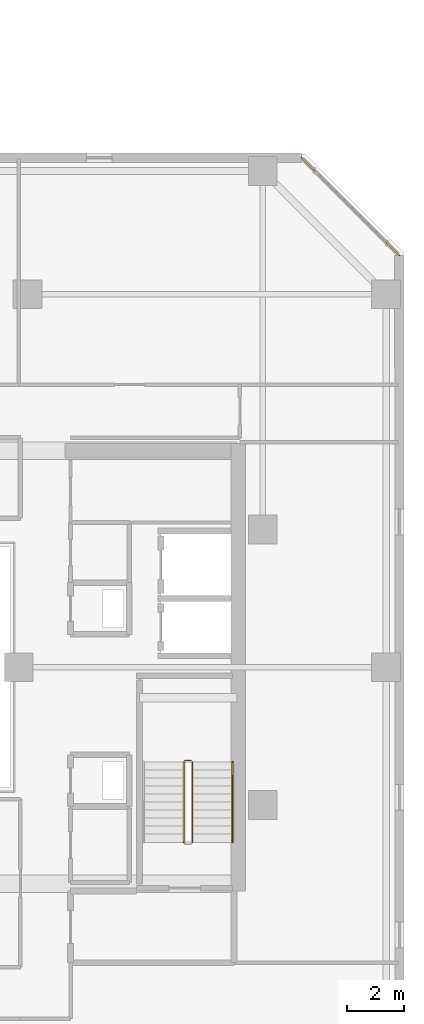
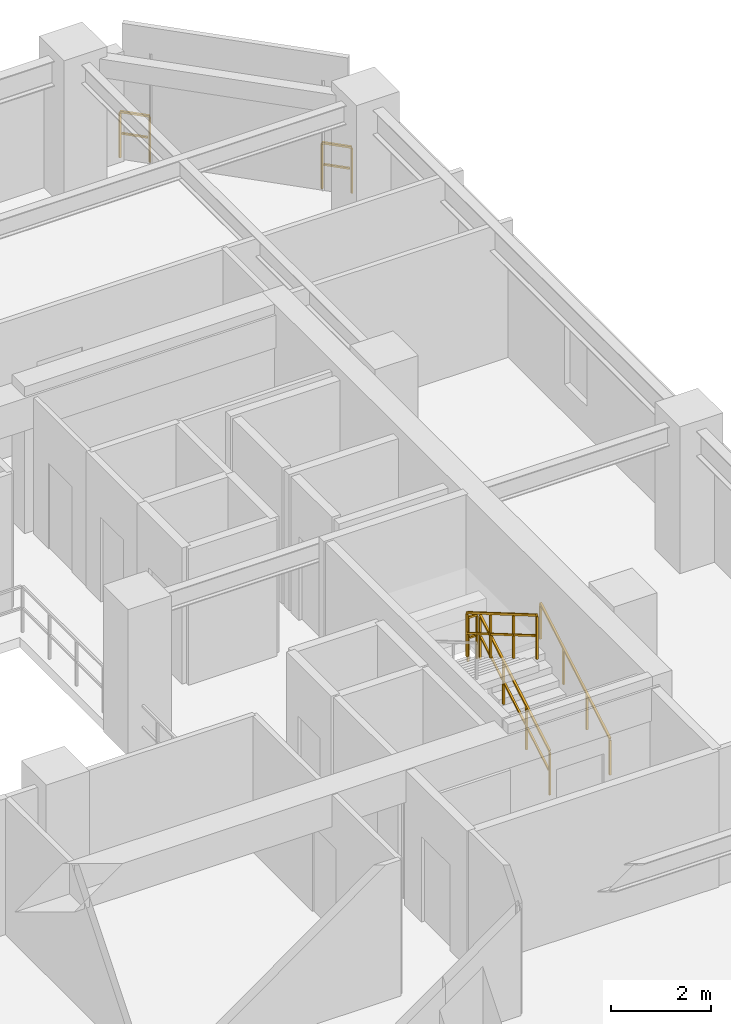
# One storey, part 33 of 33: 6 railings.
"""IFC4 building model written with IfcOpenShell, lengths in metres."""

from ifc_helpers import new_model, si_unit, direction, frame, origin, origin_2d, place, context, subcontext, project, spatial, rectangle, extrude, material, type_object, element, save


model = new_model("IFC4")

# Units and contexts
model_context = context("Model", 3, precision=1e-05, world=origin(), true_north=direction((0.0, 1.0)))
body_context = subcontext(model_context, "Body", "Model", "MODEL_VIEW")
ifc_project = project(units=[si_unit("LENGTHUNIT", "METRE"), si_unit("AREAUNIT", "SQUARE_METRE"), si_unit("VOLUMEUNIT", "CUBIC_METRE"), si_unit("PLANEANGLEUNIT", "RADIAN"), si_unit("MASSUNIT", "GRAM", prefix="KILO")], contexts=[model_context])

# Site, building, storey
site_placement = place(None, origin())
site = spatial("IfcSite", under=ifc_project, at=site_placement, CompositionType="ELEMENT")
building_placement = place(site_placement, origin())
building = spatial("IfcBuilding", under=site, at=building_placement, Name="Thornwick Lancets Civic Towers", CompositionType="ELEMENT")
storey_placement = place(building_placement, frame((0.0, 0.0, 210.89990234375)))
storey = spatial("IfcBuildingStorey", under=building, at=storey_placement, Name="L56", CompositionType="ELEMENT", Elevation=210.89990234375)

# Railings
ifc_material_1 = material(Name="Brushed stainless steel S355", Category="steel")
railing_type_1 = type_object("IfcRailingType", Name="RAIL_HANDRAIL", PredefinedType="HANDRAIL", material=ifc_material_1)
railing_1_placement = place(storey_placement, frame((100.449951171875, 20.89990234375, 0.163818359375)))
element("IfcRailing", 1, at=railing_1_placement, inside=storey, type_object=railing_type_1, Name="L56 ST-B1 stair handrail 1", PredefinedType="HANDRAIL", context=body_context, shape_type="SweptSolid", body=[
    extrude(rectangle(XDim=0.048095703125, YDim=0.048095703125, at=origin_2d()), frame((0.0, 0.0, 0.8857421875), z_axis=(0.0, 0.863393664356, 0.504530851732), x_axis=(-1.0, 0.0, 0.0)), (0.0, 0.0, 1.0), 3.2431640625),
    extrude(rectangle(XDim=0.0419921875, YDim=0.0419921875, at=origin_2d()), origin(), (0.0, 0.0, 1.0), 0.855712890625),
    extrude(rectangle(XDim=0.0419921875, YDim=0.0419921875, at=origin_2d()), frame((0.0, 0.933349609375, 0.54541015625)), (0.0, 0.0, 1.0), 0.855712890625),
    extrude(rectangle(XDim=0.0419921875, YDim=0.0419921875, at=origin_2d()), frame((0.0, 1.86669921875, 1.0908203125)), (0.0, 0.0, 1.0), 0.855712890625),
    extrude(rectangle(XDim=0.0419921875, YDim=0.0419921875, at=origin_2d()), frame((0.0, 2.800048828125, 1.63623046875)), (0.0, 0.0, 1.0), 0.855712890625),
])
ifc_material_2 = material(Name="Steel S355JR", Category="steel")
railing_type_2 = type_object("IfcRailingType", Name="RAIL_STAIR_GUARD", PredefinedType="GUARDRAIL", material=ifc_material_2)
railing_2_placement = place(storey_placement, frame((99.050048828125, 20.89990234375, 0.163818359375)))
element("IfcRailing", 2, at=railing_2_placement, inside=storey, type_object=railing_type_2, Name="L56 ST-B1 stair guard 1", PredefinedType="GUARDRAIL", context=body_context, shape_type="SweptSolid", body=[
    extrude(rectangle(XDim=0.048095703125, YDim=0.048095703125, at=origin_2d()), frame((0.0, 0.0, 1.076171875), z_axis=(0.0, 0.863393664356, 0.504530851732), x_axis=(-1.0, 0.0, 0.0)), (0.0, 0.0, 1.0), 3.2431640625),
    extrude(rectangle(XDim=0.0419921875, YDim=0.0419921875, at=origin_2d()), frame((0.0, 0.032470703125, 0.591064453125), z_axis=(0.0, 0.863393664356, 0.504530851732), x_axis=(-1.0, 0.0, 0.0)), (0.0, 0.0, 1.0), 1.006103515625),
    extrude(rectangle(XDim=0.0419921875, YDim=0.0419921875, at=origin_2d()), frame((0.0, 0.9658203125, 1.136474609375), z_axis=(0.0, 0.863393664356, 0.504530851732), x_axis=(-1.0, 0.0, 0.0)), (0.0, 0.0, 1.0), 1.006103515625),
    extrude(rectangle(XDim=0.0419921875, YDim=0.0419921875, at=origin_2d()), frame((0.0, 1.899169921875, 1.681884765625), z_axis=(0.0, 0.863393664356, 0.504530851732), x_axis=(-1.0, 0.0, 0.0)), (0.0, 0.0, 1.0), 1.006103515625),
    extrude(rectangle(XDim=0.0419921875, YDim=0.0419921875, at=origin_2d()), origin(), (0.0, 0.0, 1.0), 1.0458984375),
    extrude(rectangle(XDim=0.0419921875, YDim=0.0419921875, at=origin_2d()), frame((0.0, 0.933349609375, 0.54541015625)), (0.0, 0.0, 1.0), 1.0458984375),
    extrude(rectangle(XDim=0.0419921875, YDim=0.0419921875, at=origin_2d()), frame((0.0, 1.86669921875, 1.0908203125)), (0.0, 0.0, 1.0), 1.0458984375),
    extrude(rectangle(XDim=0.0419921875, YDim=0.0419921875, at=origin_2d()), frame((0.0, 2.800048828125, 1.63623046875)), (0.0, 0.0, 1.0), 1.0458984375),
])
railing_3_placement = place(storey_placement, frame((99.0, 23.75, 1.800048828125)))
element("IfcRailing", 3, at=railing_3_placement, inside=storey, type_object=railing_type_2, Name="L56 ST-B1 stair guard 2", PredefinedType="GUARDRAIL", context=body_context, shape_type="SweptSolid", body=[
    extrude(rectangle(XDim=0.048095703125, YDim=0.048095703125, at=origin_2d()), frame((0.0, 0.0, 1.076171875), z_axis=(-1.0, 0.0, 0.0), x_axis=(0.0, -1.0, 0.0)), (0.0, 0.0, 1.0), 0.199951171875),
    extrude(rectangle(XDim=0.0419921875, YDim=0.0419921875, at=origin_2d()), frame((-0.03759765625, 0.0, 0.572021484375), z_axis=(-1.0, 0.0, 0.0), x_axis=(0.0, -1.0, 0.0)), (0.0, 0.0, 1.0), 0.125),
    extrude(rectangle(XDim=0.0419921875, YDim=0.0419921875, at=origin_2d()), origin(), (0.0, 0.0, 1.0), 1.0458984375),
    extrude(rectangle(XDim=0.0419921875, YDim=0.0419921875, at=origin_2d()), frame((-0.199951171875, 0.0, 0.0)), (0.0, 0.0, 1.0), 1.0458984375),
])
railing_4_placement = place(storey_placement, frame((98.75, 23.699951171875, 1.963623046875)))
element("IfcRailing", 4, at=railing_4_placement, inside=storey, type_object=railing_type_2, Name="L56 ST-B1 stair guard 3", PredefinedType="GUARDRAIL", context=body_context, shape_type="SweptSolid", body=[
    extrude(rectangle(XDim=0.048095703125, YDim=0.048095703125, at=origin_2d()), frame((0.0, 0.0, 1.076171875), z_axis=(0.0, -0.863360870873, 0.504586966384), x_axis=(1.0, 0.0, 0.0)), (0.0, 0.0, 1.0), 3.2431640625),
    extrude(rectangle(XDim=0.0419921875, YDim=0.0419921875, at=origin_2d()), frame((0.0, -0.032470703125, 0.591064453125), z_axis=(0.0, -0.863360870873, 0.504586966384), x_axis=(1.0, 0.0, 0.0)), (0.0, 0.0, 1.0), 1.006103515625),
    extrude(rectangle(XDim=0.0419921875, YDim=0.0419921875, at=origin_2d()), frame((0.0, -0.9658203125, 1.136474609375), z_axis=(0.0, -0.863360870873, 0.504586966384), x_axis=(1.0, 0.0, 0.0)), (0.0, 0.0, 1.0), 1.006103515625),
    extrude(rectangle(XDim=0.0419921875, YDim=0.0419921875, at=origin_2d()), frame((0.0, -1.899169921875, 1.681884765625), z_axis=(0.0, -0.863360870873, 0.504586966384), x_axis=(1.0, 0.0, 0.0)), (0.0, 0.0, 1.0), 1.006103515625),
    extrude(rectangle(XDim=0.0419921875, YDim=0.0419921875, at=origin_2d()), origin(), (0.0, 0.0, 1.0), 1.0458984375),
    extrude(rectangle(XDim=0.0419921875, YDim=0.0419921875, at=origin_2d()), frame((0.0, -0.933349609375, 0.54541015625)), (0.0, 0.0, 1.0), 1.0458984375),
    extrude(rectangle(XDim=0.0419921875, YDim=0.0419921875, at=origin_2d()), frame((0.0, -1.86669921875, 1.091064453125)), (0.0, 0.0, 1.0), 1.0458984375),
    extrude(rectangle(XDim=0.0419921875, YDim=0.0419921875, at=origin_2d()), frame((0.0, -2.800048828125, 1.636474609375)), (0.0, 0.0, 1.0), 1.0458984375),
])
ifc_material_3 = material(Name="Terracotta-capped laminated glass balustrade S355", Category="masonry")
railing_type_3 = type_object("IfcRailingType", Name="RAIL_TERR_GUARD", PredefinedType="GUARDRAIL", material=ifc_material_3)
for number, where, name in (
    (5, (106.261962890625, 41.353515625, 0.0), "L56 Tower B Chamfer Spandrel Guard E3-1"),
    (6, (103.29150390625, 44.323974609375, 0.0), "L56 Tower B Chamfer Spandrel Guard E3-2"),
):
    element("IfcRailing", number, at=place(storey_placement, frame(where)), inside=storey, type_object=railing_type_3, Name=name, PredefinedType="GUARDRAIL", context=body_context, shape_type="SweptSolid", body=[
        extrude(rectangle(XDim=0.048095703125, YDim=0.048095703125, at=origin_2d()), frame((0.0, 0.0, 1.1259765625), z_axis=(-0.707106781187, 0.707106781187, 0.0), x_axis=(-0.707106781187, -0.707106781187, 0.0)), (0.0, 0.0, 1.0), 0.619384765625),
        extrude(rectangle(XDim=0.0419921875, YDim=0.0419921875, at=origin_2d()), frame((-0.026611328125, 0.026611328125, 0.597900390625), z_axis=(-0.707106781187, 0.707106781187, 0.0), x_axis=(-0.707106781187, -0.707106781187, 0.0)), (0.0, 0.0, 1.0), 0.54443359375),
        extrude(rectangle(XDim=0.0419921875, YDim=0.0419921875, at=origin_2d()), origin(), (0.0, 0.0, 1.0), 1.095703125),
        extrude(rectangle(XDim=0.0419921875, YDim=0.0419921875, at=origin_2d()), frame((-0.43798828125, 0.43798828125, 0.0)), (0.0, 0.0, 1.0), 1.095703125),
    ])

save(model, "model.ifc")
